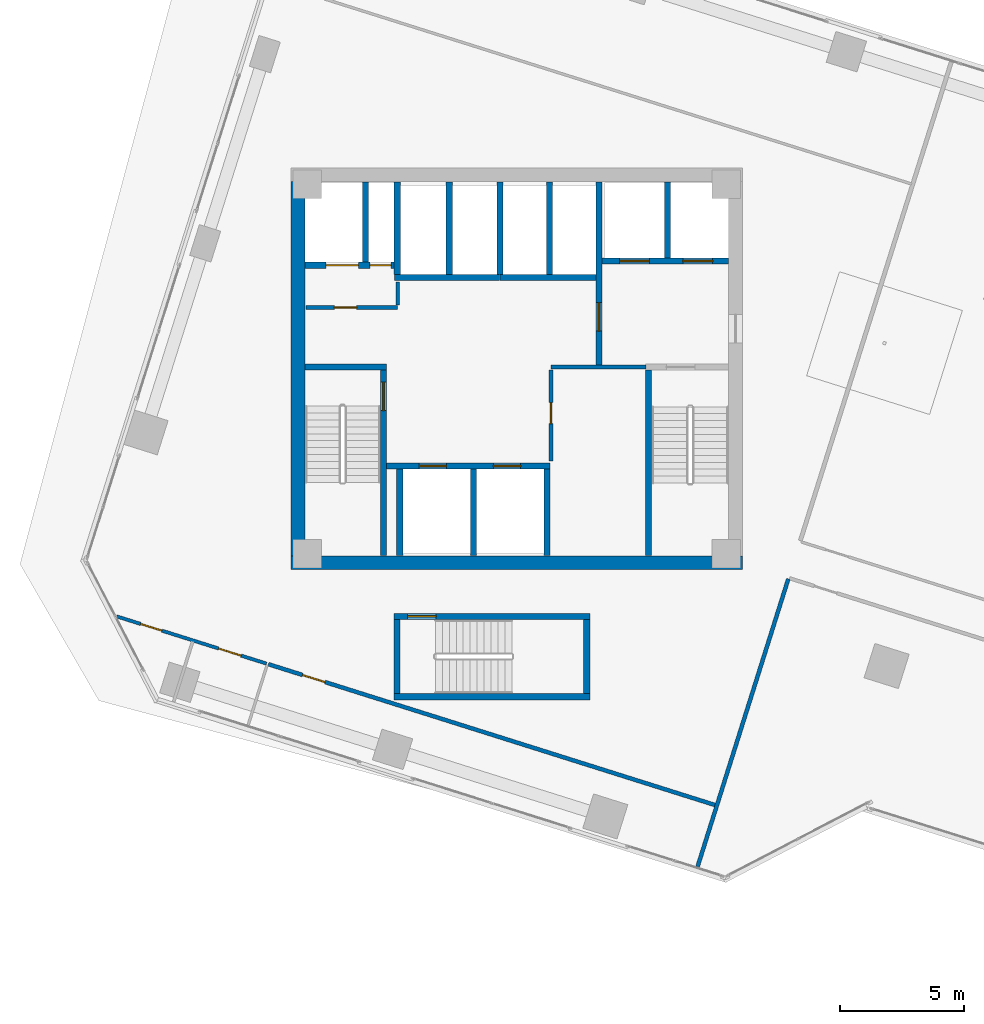
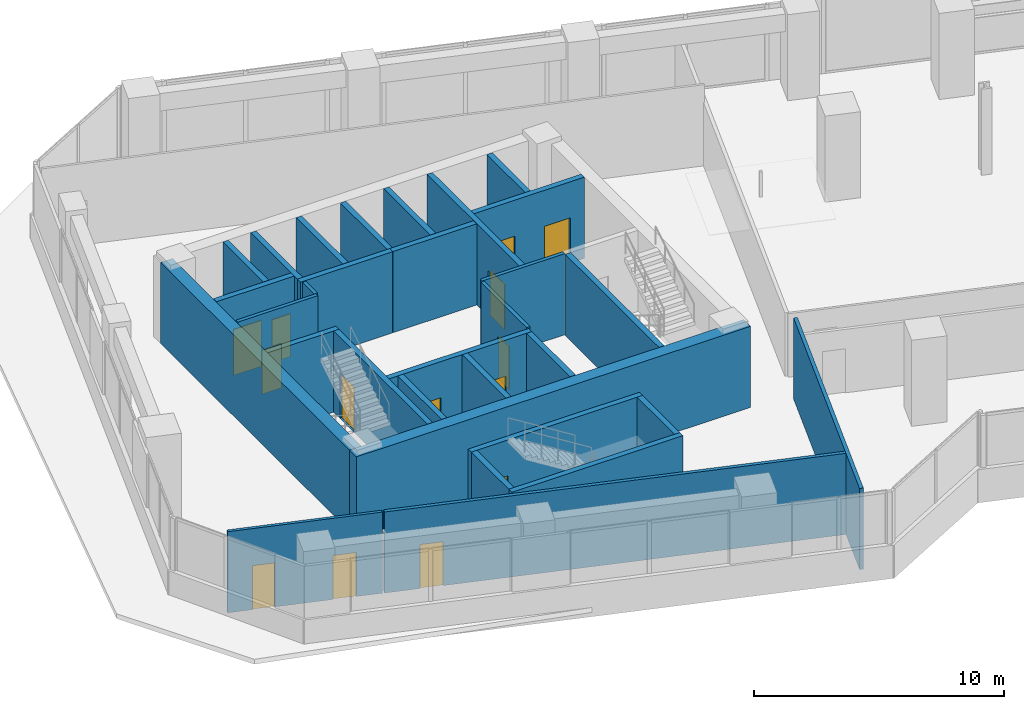
# One storey, part 21 of 28: 31 walls, 14 doors, 14 openings.
"""IFC4 building model written with IfcOpenShell, lengths in metres."""

from ifc_helpers import new_model, si_unit, direction, frame, frame_2d, origin, place, context, subcontext, project, spatial, rectangle, extrude, source, transform, mapped, material, layer, layer_set, type_object, element, fill, save


model = new_model("IFC4")

# Units and contexts
model_context = context("Model", 3, precision=1e-05, world=origin(), true_north=direction((0.0, 1.0)))
body_context = subcontext(model_context, "Body", "Model", "MODEL_VIEW")
ifc_project = project(units=[si_unit("LENGTHUNIT", "METRE"), si_unit("AREAUNIT", "SQUARE_METRE"), si_unit("VOLUMEUNIT", "CUBIC_METRE"), si_unit("PLANEANGLEUNIT", "RADIAN"), si_unit("MASSUNIT", "GRAM", prefix="KILO")], contexts=[model_context])

# Site, building, storey
site_placement = place(None, origin())
site = spatial("IfcSite", under=ifc_project, at=site_placement, CompositionType="ELEMENT")
building_placement = place(site_placement, origin())
building = spatial("IfcBuilding", under=site, at=building_placement, Name="Torre Montelarca", CompositionType="ELEMENT")
storey_placement = place(building_placement, frame((0.0, 0.0, 112.60009765625)))
storey = spatial("IfcBuildingStorey", under=building, at=storey_placement, Name="L25", CompositionType="ELEMENT", Elevation=112.60009765625)

# Wall, opening, door
ifc_material_1 = material(Name="Concrete C40/50", Category="concrete")
ifc_layer_1 = layer(ifc_material_1, 0.25, Name="Concrete C40/50", Category="concrete")
ifc_layer_set_1 = layer_set([ifc_layer_1], Name="Concrete C40/50")
wall_type_1 = type_object("IfcWallType", Name="CW-SHAFT-250", PredefinedType="SHEAR", material=ifc_layer_set_1)
wall_1_placement = place(storey_placement, frame((12.625, 24.4599609375, 0.0), z_axis=(0.0, 0.0, 1.0), x_axis=(0.0, 1.0, 0.0)))
wall_1 = element("IfcWall", 1, at=wall_1_placement, inside=storey, type_object=wall_type_1, Name="L25 Core Shear Wall SH-ST1-E", PredefinedType="SHEAR", context=body_context, shape_type="SweptSolid", body=[
    extrude(rectangle(XDim=7.489990234375, YDim=0.25, at=frame_2d((3.7451171875, 0.0))), origin(), (0.0, 0.0, 1.0), 3.9599609375),
])
opening_1_placement = place(wall_1_placement, frame((5.85009765625, 0.0, 0.0)))
opening_1 = element("IfcOpeningElement", 2, at=opening_1_placement, cuts=wall_1, Name="Opening FD-ST1", PredefinedType="OPENING", context=body_context, shape_type="SweptSolid", body=[
    extrude(rectangle(XDim=1.14990234375, YDim=2.199951171875, at=frame_2d((0.574951171875, 1.10009765625))), frame((0.0, 0.135009765625, 0.0), z_axis=(0.0, -1.0, 0.0), x_axis=(1.0, 0.0, 0.0)), (0.0, 0.0, 1.0), 0.27001953125),
])
ifc_material_2 = material(Name="Galvanized steel fire door", Category="steel")
door_type_1 = type_object("IfcDoorType", Name="DR-STAIR-115", OperationType="NOTDEFINED", PredefinedType="DOOR", material=ifc_material_2)
shared_shape_1 = source(origin(), body_context, "Body", "SweptSolid", [
    extrude(rectangle(XDim=1.14990234375, YDim=2.199951171875, at=frame_2d((0.574951171875, 1.10009765625))), frame((0.0, 0.02490234375, 0.0), z_axis=(0.0, -1.0, 0.0), x_axis=(1.0, 0.0, 0.0)), (0.0, 0.0, 1.0), 0.050048828125),
])
door_1_placement = place(opening_1_placement, origin())
door_1 = element("IfcDoor", 3, at=door_1_placement, inside=storey, type_object=door_type_1, Name="L25 Exit Stair ST1 Fire Door", OperationType="SINGLE_SWING_RIGHT", OverallHeight=2.199951171875, OverallWidth=1.14990234375, PredefinedType="DOOR", context=body_context, shape_type="MappedRepresentation", body=[
    mapped(shared_shape_1, transform((0.0, 0.0, 0.0), scale=1.0)),
])
fill(opening_1, door_1)

# Walls
wall_2_placement = place(storey_placement, frame((9.4599609375, 32.074951171875, 0.0), z_axis=(0.0, 0.0, 1.0), x_axis=(1.0, 0.0, 0.0)))
element("IfcWall", 4, at=wall_2_placement, inside=storey, type_object=wall_type_1, Name="L25 Core Shear Wall SH-ST1-N", PredefinedType="SHEAR", context=body_context, shape_type="SweptSolid", body=[
    extrude(rectangle(XDim=3.2900390625, YDim=0.25, at=frame_2d((1.64501953125, 0.0))), origin(), (0.0, 0.0, 1.0), 3.9599609375),
])
wall_3_placement = place(storey_placement, frame((23.31494140625, 24.4599609375, 0.0), z_axis=(0.0, 0.0, 1.0), x_axis=(0.0, 1.0, 0.0)))
element("IfcWall", 5, at=wall_3_placement, inside=storey, type_object=wall_type_1, Name="L25 Core Shear Wall SH-ST2-W", PredefinedType="SHEAR", context=body_context, shape_type="SweptSolid", body=[
    extrude(rectangle(XDim=7.489990234375, YDim=0.25, at=frame_2d((3.7451171875, 0.0))), origin(), (0.0, 0.0, 1.0), 3.9599609375),
])

# Wall, opening, door
wall_4_placement = place(storey_placement, frame((21.320068359375, 32.1201171875, 0.0), z_axis=(0.0, 0.0, 1.0), x_axis=(0.0, 1.0, 0.0)))
wall_4 = element("IfcWall", 6, at=wall_4_placement, inside=storey, type_object=wall_type_1, Name="L25 Core Shear Wall SH-FFL-W", PredefinedType="SHEAR", context=body_context, shape_type="SweptSolid", body=[
    extrude(rectangle(XDim=7.419921875, YDim=0.25, at=frame_2d((3.7099609375, 0.0))), origin(), (0.0, 0.0, 1.0), 3.9599609375),
])
opening_2_placement = place(wall_4_placement, frame((1.39990234375, 0.0, 0.0)))
opening_2 = element("IfcOpeningElement", 7, at=opening_2_placement, cuts=wall_4, Name="Opening FD-LB1", PredefinedType="OPENING", context=body_context, shape_type="SweptSolid", body=[
    extrude(rectangle(XDim=1.14990234375, YDim=2.199951171875, at=frame_2d((0.574951171875, 1.10009765625))), frame((0.0, 0.135009765625, 0.0), z_axis=(0.0, -1.0, 0.0), x_axis=(1.0, 0.0, 0.0)), (0.0, 0.0, 1.0), 0.27001953125),
])
ifc_material_3 = material(Name="Acoustic timber-veneered fire door", Category="wood")
door_type_2 = type_object("IfcDoorType", Name="DR-LOBBY-115", OperationType="NOTDEFINED", PredefinedType="DOOR", material=ifc_material_3)
shared_shape_2 = source(origin(), body_context, "Body", "SweptSolid", [
    extrude(rectangle(XDim=1.14990234375, YDim=2.199951171875, at=frame_2d((0.574951171875, 1.10009765625))), frame((0.0, 0.02490234375, 0.0), z_axis=(0.0, -1.0, 0.0), x_axis=(1.0, 0.0, 0.0)), (0.0, 0.0, 1.0), 0.050048828125),
])
door_2_placement = place(opening_2_placement, origin())
door_2 = element("IfcDoor", 8, at=door_2_placement, inside=storey, type_object=door_type_2, Name="L25 Lift Lobby to Firefighting Lobby Smoke Door", OperationType="SINGLE_SWING_LEFT", OverallHeight=2.199951171875, OverallWidth=1.14990234375, PredefinedType="DOOR", context=body_context, shape_type="MappedRepresentation", body=[
    mapped(shared_shape_2, transform((0.0, 0.0, 0.0), scale=1.0)),
])
fill(opening_2, door_2)

# Wall, openings, doors
wall_5_placement = place(storey_placement, frame((9.4599609375, 36.179931640625, 0.0), z_axis=(0.0, 0.0, 1.0), x_axis=(1.0, 0.0, 0.0)))
wall_5 = element("IfcWall", 9, at=wall_5_placement, inside=storey, type_object=wall_type_1, Name="L25 Core Shear Wall SH-SV1-S", PredefinedType="SHEAR", context=body_context, shape_type="SweptSolid", body=[
    extrude(rectangle(XDim=3.7900390625, YDim=0.25, at=frame_2d((1.89501953125, 0.0))), origin(), (0.0, 0.0, 1.0), 3.9599609375),
])
opening_3_placement = place(wall_5_placement, frame((2.6201171875, 0.0, 0.0)))
opening_3 = element("IfcOpeningElement", 10, at=opening_3_placement, cuts=wall_5, Name="Opening FD-085", PredefinedType="OPENING", context=body_context, shape_type="SweptSolid", body=[
    extrude(rectangle(XDim=0.85009765625, YDim=2.10009765625, at=frame_2d((0.425048828125, 1.050048828125))), frame((0.0, 0.135009765625, 0.0), z_axis=(0.0, -1.0, 0.0), x_axis=(1.0, 0.0, 0.0)), (0.0, 0.0, 1.0), 0.27001953125),
])
opening_4_placement = place(wall_5_placement, frame((0.85009765625, 0.0, 0.0)))
opening_4 = element("IfcOpeningElement", 11, at=opening_4_placement, cuts=wall_5, Name="Opening LD-130", PredefinedType="OPENING", context=body_context, shape_type="SweptSolid", body=[
    extrude(rectangle(XDim=1.300048828125, YDim=2.25, at=frame_2d((0.64990234375, 1.125))), frame((0.0, 0.135009765625, 0.0), z_axis=(0.0, -1.0, 0.0), x_axis=(1.0, 0.0, 0.0)), (0.0, 0.0, 1.0), 0.27001953125),
])
ifc_material_4 = material(Name="Steel riser access fire door", Category="steel")
door_type_3 = type_object("IfcDoorType", Name="DR-RISER-085", OperationType="NOTDEFINED", PredefinedType="DOOR", material=ifc_material_4)
shared_shape_3 = source(origin(), body_context, "Body", "SweptSolid", [
    extrude(rectangle(XDim=0.85009765625, YDim=2.10009765625, at=frame_2d((0.425048828125, 1.050048828125))), frame((0.0, 0.02490234375, 0.0), z_axis=(0.0, -1.0, 0.0), x_axis=(1.0, 0.0, 0.0)), (0.0, 0.0, 1.0), 0.050048828125),
])
door_3_placement = place(opening_3_placement, origin())
door_3 = element("IfcDoor", 12, at=door_3_placement, inside=storey, type_object=door_type_3, Name="L25 Electrical Riser Shaft Access Door", OperationType="SINGLE_SWING_RIGHT", OverallHeight=2.10009765625, OverallWidth=0.85009765625, PredefinedType="DOOR", context=body_context, shape_type="MappedRepresentation", body=[
    mapped(shared_shape_3, transform((0.0, 0.0, 0.0), scale=1.0)),
])
fill(opening_3, door_3)
ifc_material_5 = material(Name="Brushed stainless steel AISI 316", Category="steel")
door_type_4 = type_object("IfcDoorType", Name="DR-LIFT-130", OperationType="SLIDING_TO_LEFT", PredefinedType="DOOR", material=ifc_material_5)
shared_shape_4 = source(origin(), body_context, "Body", "SweptSolid", [
    extrude(rectangle(XDim=1.300048828125, YDim=2.25, at=frame_2d((0.64990234375, 1.125))), frame((0.0, 0.02490234375, 0.0), z_axis=(0.0, -1.0, 0.0), x_axis=(1.0, 0.0, 0.0)), (0.0, 0.0, 1.0), 0.050048828125),
])
door_4_placement = place(opening_4_placement, origin())
door_4 = element("IfcDoor", 13, at=door_4_placement, inside=storey, type_object=door_type_4, Name="L25 Lift Landing Sliding Door SV-1", OperationType="SLIDING_TO_LEFT", OverallHeight=2.25, OverallWidth=1.300048828125, PredefinedType="DOOR", context=body_context, shape_type="MappedRepresentation", body=[
    mapped(shared_shape_4, transform((0.0, 0.0, 0.0), scale=1.0)),
])
fill(opening_4, door_4)

# Wall
wall_6_placement = place(storey_placement, frame((11.89990234375, 36.31005859375, 0.0), z_axis=(0.0, 0.0, 1.0), x_axis=(0.0, 1.0, 0.0)))
element("IfcWall", 14, at=wall_6_placement, inside=storey, type_object=wall_type_1, Name="L25 Core Shear Wall SH-SV1-E", PredefinedType="SHEAR", context=body_context, shape_type="SweptSolid", body=[
    extrude(rectangle(XDim=3.22998046875, YDim=0.25, at=frame_2d((1.614990234375, 0.0))), origin(), (0.0, 0.0, 1.0), 3.9599609375),
])

# Wall, openings, doors
wall_7_placement = place(storey_placement, frame((21.449951171875, 36.35009765625, 0.0), z_axis=(0.0, 0.0, 1.0), x_axis=(1.0, 0.0, 0.0)))
wall_7 = element("IfcWall", 15, at=wall_7_placement, inside=storey, type_object=wall_type_1, Name="L25 Core Shear Wall SH-FF-S", PredefinedType="SHEAR", context=body_context, shape_type="SweptSolid", body=[
    extrude(rectangle(XDim=5.090087890625, YDim=0.25, at=frame_2d((2.544921875, 0.0))), origin(), (0.0, 0.0, 1.0), 3.9599609375),
])
opening_5_placement = place(wall_7_placement, frame((0.699951171875, 0.0, 0.0)))
opening_5 = element("IfcOpeningElement", 16, at=opening_5_placement, cuts=wall_7, Name="Opening LD-120", PredefinedType="OPENING", context=body_context, shape_type="SweptSolid", body=[
    extrude(rectangle(XDim=1.199951171875, YDim=2.199951171875, at=frame_2d((0.60009765625, 1.10009765625))), frame((0.0, 0.135009765625, 0.0), z_axis=(0.0, -1.0, 0.0), x_axis=(1.0, 0.0, 0.0)), (0.0, 0.0, 1.0), 0.27001953125),
])
opening_6_placement = place(wall_7_placement, frame((3.25, 0.0, 0.0)))
opening_6 = element("IfcOpeningElement", 17, at=opening_6_placement, cuts=wall_7, Name="Opening LD-120", PredefinedType="OPENING", context=body_context, shape_type="SweptSolid", body=[
    extrude(rectangle(XDim=1.199951171875, YDim=2.199951171875, at=frame_2d((0.60009765625, 1.10009765625))), frame((0.0, 0.135009765625, 0.0), z_axis=(0.0, -1.0, 0.0), x_axis=(1.0, 0.0, 0.0)), (0.0, 0.0, 1.0), 0.27001953125),
])
door_type_5 = type_object("IfcDoorType", Name="DR-LIFT-120", OperationType="SLIDING_TO_RIGHT", PredefinedType="DOOR", material=ifc_material_5)
shared_shape_5 = source(origin(), body_context, "Body", "SweptSolid", [
    extrude(rectangle(XDim=1.199951171875, YDim=2.199951171875, at=frame_2d((0.60009765625, 1.10009765625))), frame((0.0, 0.02490234375, 0.0), z_axis=(0.0, -1.0, 0.0), x_axis=(1.0, 0.0, 0.0)), (0.0, 0.0, 1.0), 0.050048828125),
])
door_5_placement = place(opening_5_placement, origin())
door_5 = element("IfcDoor", 18, at=door_5_placement, inside=storey, type_object=door_type_5, Name="L25 Lift Landing Sliding Door FF-1", OperationType="SLIDING_TO_LEFT", OverallHeight=2.199951171875, OverallWidth=1.199951171875, PredefinedType="DOOR", context=body_context, shape_type="MappedRepresentation", body=[
    mapped(shared_shape_5, transform((0.0, 0.0, 0.0), scale=1.0)),
])
fill(opening_5, door_5)
door_6_placement = place(opening_6_placement, origin())
door_6 = element("IfcDoor", 19, at=door_6_placement, inside=storey, type_object=door_type_5, Name="L25 Lift Landing Sliding Door FF-2", OperationType="SLIDING_TO_RIGHT", OverallHeight=2.199951171875, OverallWidth=1.199951171875, PredefinedType="DOOR", context=body_context, shape_type="MappedRepresentation", body=[
    mapped(shared_shape_5, transform((0.0, 0.0, 0.0), scale=1.0)),
])
fill(opening_6, door_6)

# Wall
wall_8_placement = place(storey_placement, frame((24.080078125, 36.47998046875, 0.0), z_axis=(0.0, 0.0, 1.0), x_axis=(0.0, 1.0, 0.0)))
element("IfcWall", 20, at=wall_8_placement, inside=storey, type_object=wall_type_1, Name="L25 Core Shear Wall SH-FF-M", PredefinedType="SHEAR", context=body_context, shape_type="SweptSolid", body=[
    extrude(rectangle(XDim=3.06005859375, YDim=0.25, at=frame_2d((1.530029296875, 0.0))), origin(), (0.0, 0.0, 1.0), 3.9599609375),
])

# Wall, openings, doors
wall_9_placement = place(storey_placement, frame((12.6298828125, 28.080078125, 0.0), z_axis=(0.0, 0.0, 1.0), x_axis=(1.0, 0.0, 0.0)))
wall_9 = element("IfcWall", 21, at=wall_9_placement, inside=storey, type_object=wall_type_1, Name="L25 Core Shear Wall SH-PLL-N", PredefinedType="SHEAR", context=body_context, shape_type="SweptSolid", body=[
    extrude(rectangle(XDim=6.710205078125, YDim=0.25, at=frame_2d((3.35498046875, 0.0))), origin(), (0.0, 0.0, 1.0), 3.9599609375),
])
opening_7_placement = place(wall_9_placement, frame((1.429931640625, 0.0, 0.0)))
opening_7 = element("IfcOpeningElement", 22, at=opening_7_placement, cuts=wall_9, Name="Opening LD-110", PredefinedType="OPENING", context=body_context, shape_type="SweptSolid", body=[
    extrude(rectangle(XDim=1.10009765625, YDim=2.199951171875, at=frame_2d((0.550048828125, 1.10009765625))), frame((0.0, 0.135009765625, 0.0), z_axis=(0.0, -1.0, 0.0), x_axis=(1.0, 0.0, 0.0)), (0.0, 0.0, 1.0), 0.27001953125),
])
opening_8_placement = place(wall_9_placement, frame((4.429931640625, 0.0, 0.0)))
opening_8 = element("IfcOpeningElement", 23, at=opening_8_placement, cuts=wall_9, Name="Opening LD-110", PredefinedType="OPENING", context=body_context, shape_type="SweptSolid", body=[
    extrude(rectangle(XDim=1.10009765625, YDim=2.199951171875, at=frame_2d((0.550048828125, 1.10009765625))), frame((0.0, 0.135009765625, 0.0), z_axis=(0.0, -1.0, 0.0), x_axis=(1.0, 0.0, 0.0)), (0.0, 0.0, 1.0), 0.27001953125),
])
door_type_6 = type_object("IfcDoorType", Name="DR-LIFT-110", OperationType="SLIDING_TO_LEFT", PredefinedType="DOOR", material=ifc_material_5)
shared_shape_6 = source(origin(), body_context, "Body", "SweptSolid", [
    extrude(rectangle(XDim=1.10009765625, YDim=2.199951171875, at=frame_2d((0.550048828125, 1.10009765625))), frame((0.0, 0.02490234375, 0.0), z_axis=(0.0, -1.0, 0.0), x_axis=(1.0, 0.0, 0.0)), (0.0, 0.0, 1.0), 0.050048828125),
])
door_7_placement = place(opening_7_placement, origin())
door_7 = element("IfcDoor", 24, at=door_7_placement, inside=storey, type_object=door_type_6, Name="L25 Lift Landing Sliding Door PL-L1", OperationType="SLIDING_TO_LEFT", OverallHeight=2.199951171875, OverallWidth=1.10009765625, PredefinedType="DOOR", context=body_context, shape_type="MappedRepresentation", body=[
    mapped(shared_shape_6, transform((0.0, 0.0, 0.0), scale=1.0)),
])
fill(opening_7, door_7)
door_8_placement = place(opening_8_placement, origin())
door_8 = element("IfcDoor", 25, at=door_8_placement, inside=storey, type_object=door_type_6, Name="L25 Lift Landing Sliding Door PL-L2", OperationType="SLIDING_TO_RIGHT", OverallHeight=2.199951171875, OverallWidth=1.10009765625, PredefinedType="DOOR", context=body_context, shape_type="MappedRepresentation", body=[
    mapped(shared_shape_6, transform((0.0, 0.0, 0.0), scale=1.0)),
])
fill(opening_8, door_8)

# Walls
for number, where, z_axis, x_axis, name in (
    (26, (13.280029296875, 24.4599609375, 0.0), (0.0, 0.0, 1.0), (0.0, 1.0, 0.0), "L25 Core Shear Wall SH-PLL-W"),
    (27, (16.25, 24.4599609375, 0.0), (0.0, 0.0, 1.0), (0.0, 1.0, 0.0), "L25 Core Shear Wall SH-PLL-M"),
    (28, (19.219970703125, 24.4599609375, 0.0), (0.0, 0.0, 1.0), (0.0, 1.0, 0.0), "L25 Core Shear Wall SH-PLL-E"),
):
    element("IfcWall", number, at=place(storey_placement, frame(where, z_axis=z_axis, x_axis=x_axis)), inside=storey, type_object=wall_type_1, Name=name, PredefinedType="SHEAR", context=body_context, shape_type="SweptSolid", body=[
        extrude(rectangle(XDim=3.489990234375, YDim=0.25, at=frame_2d((1.7451171875, 0.0))), origin(), (0.0, 0.0, 1.0), 3.9599609375),
    ])
wall_10_placement = place(storey_placement, frame((13.06005859375, 35.679931640625, 0.0), z_axis=(0.0, 0.0, 1.0), x_axis=(1.0, 0.0, 0.0)))
element("IfcWall", 29, at=wall_10_placement, inside=storey, type_object=wall_type_1, Name="L25 Core Shear Wall SH-PLM-S", PredefinedType="SHEAR", context=body_context, shape_type="SweptSolid", body=[
    extrude(rectangle(XDim=4.25, YDim=0.25, at=frame_2d((2.125, 0.0))), origin(), (0.0, 0.0, 1.0), 3.9599609375),
])
for number, where, z_axis, x_axis, name in (
    (30, (13.179931640625, 35.81005859375, 0.0), (0.0, 0.0, 1.0), (0.0, 1.0, 0.0), "L25 Core Shear Wall SH-PLM-W"),
    (31, (15.280029296875, 35.81005859375, 0.0), (0.0, 0.0, 1.0), (0.0, 1.0, 0.0), "L25 Core Shear Wall SH-PLM-M"),
):
    element("IfcWall", number, at=place(storey_placement, frame(where, z_axis=z_axis, x_axis=x_axis)), inside=storey, type_object=wall_type_1, Name=name, PredefinedType="SHEAR", context=body_context, shape_type="SweptSolid", body=[
        extrude(rectangle(XDim=3.72998046875, YDim=0.25, at=frame_2d((1.864990234375, 0.0))), origin(), (0.0, 0.0, 1.0), 3.9599609375),
    ])
wall_11_placement = place(storey_placement, frame((17.320068359375, 35.679931640625, 0.0), z_axis=(0.0, 0.0, 1.0), x_axis=(1.0, 0.0, 0.0)))
element("IfcWall", 32, at=wall_11_placement, inside=storey, type_object=wall_type_1, Name="L25 Core Shear Wall SH-PLH-S", PredefinedType="SHEAR", context=body_context, shape_type="SweptSolid", body=[
    extrude(rectangle(XDim=3.869873046875, YDim=0.25, at=frame_2d((1.93505859375, 0.0))), origin(), (0.0, 0.0, 1.0), 3.9599609375),
])
for number, where, z_axis, x_axis, name in (
    (33, (17.320068359375, 35.81005859375, 0.0), (0.0, 0.0, 1.0), (0.0, 1.0, 0.0), "L25 Core Shear Wall SH-PLH-W"),
    (34, (19.320068359375, 35.81005859375, 0.0), (0.0, 0.0, 1.0), (0.0, 1.0, 0.0), "L25 Core Shear Wall SH-PLH-M"),
):
    element("IfcWall", number, at=place(storey_placement, frame(where, z_axis=z_axis, x_axis=x_axis)), inside=storey, type_object=wall_type_1, Name=name, PredefinedType="SHEAR", context=body_context, shape_type="SweptSolid", body=[
        extrude(rectangle(XDim=3.72998046875, YDim=0.25, at=frame_2d((1.864990234375, 0.0))), origin(), (0.0, 0.0, 1.0), 3.9599609375),
    ])
for number, where, z_axis, x_axis, name in (
    (35, (13.175048828125, 18.89990234375, 0.0), (0.0, 0.0, 1.0), (0.0, 1.0, 0.0), "L25 Core Shear Wall SH-ST3-W"),
    (36, (20.824951171875, 18.89990234375, 0.0), (0.0, 0.0, 1.0), (0.0, 1.0, 0.0), "L25 Core Shear Wall SH-ST3-E"),
):
    element("IfcWall", number, at=place(storey_placement, frame(where, z_axis=z_axis, x_axis=x_axis)), inside=storey, type_object=wall_type_1, Name=name, PredefinedType="SHEAR", context=body_context, shape_type="SweptSolid", body=[
        extrude(rectangle(XDim=2.989990234375, YDim=0.25, at=frame_2d((1.4951171875, 0.0))), origin(), (0.0, 0.0, 1.0), 3.9599609375),
    ])
wall_12_placement = place(storey_placement, frame((13.050048828125, 18.77490234375, 0.0), z_axis=(0.0, 0.0, 1.0), x_axis=(1.0, 0.0, 0.0)))
element("IfcWall", 37, at=wall_12_placement, inside=storey, type_object=wall_type_1, Name="L25 Core Shear Wall SH-ST3-S", PredefinedType="SHEAR", context=body_context, shape_type="SweptSolid", body=[
    extrude(rectangle(XDim=7.89990234375, YDim=0.25, at=frame_2d((3.949951171875, 0.0))), origin(), (0.0, 0.0, 1.0), 3.9599609375),
])

# Wall, opening, door
wall_13_placement = place(storey_placement, frame((13.050048828125, 22.014892578125, 0.0), z_axis=(0.0, 0.0, 1.0), x_axis=(1.0, 0.0, 0.0)))
wall_13 = element("IfcWall", 38, at=wall_13_placement, inside=storey, type_object=wall_type_1, Name="L25 Core Shear Wall SH-ST3-N", PredefinedType="SHEAR", context=body_context, shape_type="SweptSolid", body=[
    extrude(rectangle(XDim=7.89990234375, YDim=0.25, at=frame_2d((3.949951171875, 0.0))), origin(), (0.0, 0.0, 1.0), 3.9599609375),
])
opening_9_placement = place(wall_13_placement, frame((0.550048828125, 0.0, 0.0)))
opening_9 = element("IfcOpeningElement", 39, at=opening_9_placement, cuts=wall_13, Name="Opening FD-ST1", PredefinedType="OPENING", context=body_context, shape_type="SweptSolid", body=[
    extrude(rectangle(XDim=1.14990234375, YDim=2.199951171875, at=frame_2d((0.574951171875, 1.10009765625))), frame((0.0, 0.135009765625, 0.0), z_axis=(0.0, -1.0, 0.0), x_axis=(1.0, 0.0, 0.0)), (0.0, 0.0, 1.0), 0.27001953125),
])
door_9_placement = place(opening_9_placement, origin())
door_9 = element("IfcDoor", 40, at=door_9_placement, inside=storey, type_object=door_type_1, Name="L25 Exit Stair ST3 Fire Door", OperationType="SINGLE_SWING_LEFT", OverallHeight=2.199951171875, OverallWidth=1.14990234375, PredefinedType="DOOR", context=body_context, shape_type="MappedRepresentation", body=[
    mapped(shared_shape_1, transform((0.0, 0.0, 0.0), scale=1.0)),
])
fill(opening_9, door_9)

# Walls
ifc_material_6 = material(Name="Concrete C70/85", Category="concrete")
ifc_layer_2 = layer(ifc_material_6, 0.550048828125, Name="Concrete C70/85", Category="concrete")
ifc_layer_set_2 = layer_set([ifc_layer_2], Name="Concrete C70/85")
wall_type_2 = type_object("IfcWallType", Name="CW-SHEAR-550", PredefinedType="SHEAR", material=ifc_layer_set_2)
wall_14_placement = place(storey_placement, frame((9.175048828125, 24.449951171875, 0.0), z_axis=(0.0, 0.0, 1.0), x_axis=(0.0, 1.0, 0.0)))
element("IfcWall", 41, at=wall_14_placement, inside=storey, type_object=wall_type_2, Name="L25 Core Shear Wall CW-W", PredefinedType="SHEAR", context=body_context, shape_type="SweptSolid", body=[
    extrude(rectangle(XDim=15.10009765625, YDim=0.550048828125, at=frame_2d((7.550048828125, 0.0))), origin(), (0.0, 0.0, 1.0), 3.9599609375),
])
wall_15_placement = place(storey_placement, frame((8.89990234375, 24.175048828125, 0.0), z_axis=(0.0, 0.0, 1.0), x_axis=(1.0, 0.0, 0.0)))
element("IfcWall", 42, at=wall_15_placement, inside=storey, type_object=wall_type_2, Name="L25 Core Shear Wall CW-S1", PredefinedType="SHEAR", context=body_context, shape_type="SweptSolid", body=[
    extrude(rectangle(XDim=18.2001953125, YDim=0.550048828125, at=frame_2d((9.10009765625, 0.0))), origin(), (0.0, 0.0, 1.0), 3.9599609375),
])

# Wall, opening, door
ifc_material_7 = material(Name="Gypsum plasterboard on steel stud", Category="steel")
ifc_layer_3 = layer(ifc_material_7, 0.159912109375, Name="Gypsum plasterboard on steel stud", Category="steel")
ifc_layer_set_3 = layer_set([ifc_layer_3], Name="Gypsum plasterboard on steel stud")
wall_type_3 = type_object("IfcWallType", Name="PW-FIRE-160", PredefinedType="PARTITIONING", material=ifc_layer_set_3)
wall_16_placement = place(storey_placement, frame((9.489990234375, 34.47998046875, 0.0), z_axis=(0.0, 0.0, 1.0), x_axis=(1.0, 0.0, 0.0)))
wall_16 = element("IfcWall", 43, at=wall_16_placement, inside=storey, type_object=wall_type_3, Name="L25 Interior Partition CW-L25-SVS", PredefinedType="PARTITIONING", context=body_context, shape_type="SweptSolid", body=[
    extrude(rectangle(XDim=3.699951171875, YDim=0.159912109375, at=frame_2d((1.85009765625, 0.0))), origin(), (0.0, 0.0, 1.0), 3.9599609375),
])
opening_10_placement = place(wall_16_placement, frame((1.14990234375, 0.0, 0.0)))
opening_10 = element("IfcOpeningElement", 44, at=opening_10_placement, cuts=wall_16, Name="Opening FD-090", PredefinedType="OPENING", context=body_context, shape_type="SweptSolid", body=[
    extrude(rectangle(XDim=0.89990234375, YDim=2.14990234375, at=frame_2d((0.449951171875, 1.074951171875))), frame((0.0, 0.08984375, 0.0), z_axis=(0.0, -1.0, 0.0), x_axis=(1.0, 0.0, 0.0)), (0.0, 0.0, 1.0), 0.179931640625),
])
ifc_material_8 = material(Name="Steel service fire door", Category="steel")
door_type_7 = type_object("IfcDoorType", Name="DR-FIRE-090", OperationType="NOTDEFINED", PredefinedType="DOOR", material=ifc_material_8)
shared_shape_7 = source(origin(), body_context, "Body", "SweptSolid", [
    extrude(rectangle(XDim=0.89990234375, YDim=2.14990234375, at=frame_2d((0.449951171875, 1.074951171875))), frame((0.0, 0.02490234375, 0.0), z_axis=(0.0, -1.0, 0.0), x_axis=(1.0, 0.0, 0.0)), (0.0, 0.0, 1.0), 0.050048828125),
])
door_10_placement = place(opening_10_placement, origin())
door_10 = element("IfcDoor", 45, at=door_10_placement, inside=storey, type_object=door_type_7, Name="L25 Interior Door 01", OperationType="SINGLE_SWING_RIGHT", OverallHeight=2.14990234375, OverallWidth=0.89990234375, PredefinedType="DOOR", context=body_context, shape_type="MappedRepresentation", body=[
    mapped(shared_shape_7, transform((0.0, 0.0, 0.0), scale=1.0)),
])
fill(opening_10, door_10)

# Walls
wall_17_placement = place(storey_placement, frame((13.199951171875, 34.570068359375, 0.0), z_axis=(0.0, 0.0, 1.0), x_axis=(0.0, 1.0, 0.0)))
element("IfcWall", 46, at=wall_17_placement, inside=storey, type_object=wall_type_3, Name="L25 Interior Partition CW-L25-SVE", PredefinedType="PARTITIONING", context=body_context, shape_type="SweptSolid", body=[
    extrude(rectangle(XDim=0.93994140625, YDim=0.159912109375, at=frame_2d((0.469970703125, 0.0))), origin(), (0.0, 0.0, 1.0), 3.9599609375),
])
wall_18_placement = place(storey_placement, frame((19.389892578125, 32.080078125, 0.0), z_axis=(0.0, 0.0, 1.0), x_axis=(1.0, 0.0, 0.0)))
element("IfcWall", 47, at=wall_18_placement, inside=storey, type_object=wall_type_3, Name="L25 Interior Partition CW-L25-SEN", PredefinedType="PARTITIONING", context=body_context, shape_type="SweptSolid", body=[
    extrude(rectangle(XDim=3.820068359375, YDim=0.159912109375, at=frame_2d((1.91015625, 0.0))), origin(), (0.0, 0.0, 1.0), 3.9599609375),
])

# Wall, opening, door
wall_19_placement = place(storey_placement, frame((19.3798828125, 28.2900390625, 0.0), z_axis=(0.0, 0.0, 1.0), x_axis=(0.0, 1.0, 0.0)))
wall_19 = element("IfcWall", 48, at=wall_19_placement, inside=storey, type_object=wall_type_3, Name="L25 Interior Partition CW-L25-SEW", PredefinedType="PARTITIONING", context=body_context, shape_type="SweptSolid", body=[
    extrude(rectangle(XDim=3.669921875, YDim=0.159912109375, at=frame_2d((1.8349609375, 0.0))), origin(), (0.0, 0.0, 1.0), 3.9599609375),
])
opening_11_placement = place(wall_19_placement, frame((1.5, 0.0, 0.0)))
opening_11 = element("IfcOpeningElement", 49, at=opening_11_placement, cuts=wall_19, Name="Opening FD-085", PredefinedType="OPENING", context=body_context, shape_type="SweptSolid", body=[
    extrude(rectangle(XDim=0.85009765625, YDim=2.10009765625, at=frame_2d((0.425048828125, 1.050048828125))), frame((0.0, 0.08984375, 0.0), z_axis=(0.0, -1.0, 0.0), x_axis=(1.0, 0.0, 0.0)), (0.0, 0.0, 1.0), 0.179931640625),
])
door_11_placement = place(opening_11_placement, origin())
door_11 = element("IfcDoor", 50, at=door_11_placement, inside=storey, type_object=door_type_3, Name="L25 Interior Door 02", OperationType="SINGLE_SWING_RIGHT", OverallHeight=2.10009765625, OverallWidth=0.85009765625, PredefinedType="DOOR", context=body_context, shape_type="MappedRepresentation", body=[
    mapped(shared_shape_3, transform((0.0, 0.0, 0.0), scale=1.0)),
])
fill(opening_11, door_11)

wall_20_placement = place(storey_placement, frame((7.98095703125, 20.083740234375, 0.0), z_axis=(0.0, 0.0, 1.0), x_axis=(0.953717062222, -0.300705445953, 0.0)))
wall_20 = element("IfcWall", 51, at=wall_20_placement, inside=storey, type_object=wall_type_3, Name="L25 Interior Partition W-L25-SOCCN", PredefinedType="PARTITIONING", context=body_context, shape_type="SweptSolid", body=[
    extrude(rectangle(XDim=18.93017578125, YDim=0.159912109375, at=frame_2d((9.465087890625, 0.0))), origin(), (0.0, 0.0, 1.0), 3.9599609375),
])
opening_12_placement = place(wall_20_placement, frame((1.449951171875, 0.0, 0.0)))
opening_12 = element("IfcOpeningElement", 52, at=opening_12_placement, cuts=wall_20, Name="Opening FD-095", PredefinedType="OPENING", context=body_context, shape_type="SweptSolid", body=[
    extrude(rectangle(XDim=0.949951171875, YDim=2.14990234375, at=frame_2d((0.47509765625, 1.074951171875))), frame((0.0, 0.08984375, 0.0), z_axis=(0.0, -1.0, 0.0), x_axis=(1.0, 0.0, 0.0)), (0.0, 0.0, 1.0), 0.179931640625),
])
ifc_material_9 = material(Name="Timber fire-rated room door", Category="wood")
door_type_8 = type_object("IfcDoorType", Name="DR-FIRE-095", OperationType="NOTDEFINED", PredefinedType="DOOR", material=ifc_material_9)
shared_shape_8 = source(origin(), body_context, "Body", "SweptSolid", [
    extrude(rectangle(XDim=0.949951171875, YDim=2.14990234375, at=frame_2d((0.47509765625, 1.074951171875))), frame((0.0, 0.02490234375, 0.0), z_axis=(0.0, -1.0, 0.0), x_axis=(1.0, 0.0, 0.0)), (0.0, 0.0, 1.0), 0.050048828125),
])
door_12_placement = place(opening_12_placement, origin())
door_12 = element("IfcDoor", 53, at=door_12_placement, inside=storey, type_object=door_type_8, Name="L25 Interior Door 05", OperationType="SINGLE_SWING_RIGHT", OverallHeight=2.14990234375, OverallWidth=0.949951171875, PredefinedType="DOOR", context=body_context, shape_type="MappedRepresentation", body=[
    mapped(shared_shape_8, transform((0.0, 0.0, 0.0), scale=1.0)),
])
fill(opening_12, door_12)

# Wall
wall_21_placement = place(storey_placement, frame((25.294189453125, 11.9091796875, 0.0), z_axis=(0.0, 0.0, 1.0), x_axis=(0.300707324156, 0.953716470026, 0.0)))
element("IfcWall", 54, at=wall_21_placement, inside=storey, type_object=wall_type_3, Name="L25 Interior Partition W-L25-ECS", PredefinedType="PARTITIONING", context=body_context, shape_type="SweptSolid", body=[
    extrude(rectangle(XDim=12.179931640625, YDim=0.159912109375, at=frame_2d((6.08984375, 0.0))), origin(), (0.0, 0.0, 1.0), 3.9599609375),
])

# Wall, openings, doors
ifc_layer_4 = layer(ifc_material_7, 0.135009765625, Name="Gypsum plasterboard on steel stud", Category="steel")
ifc_layer_set_4 = layer_set([ifc_layer_4], Name="Gypsum plasterboard on steel stud")
wall_type_4 = type_object("IfcWallType", Name="PW-PART-135", PredefinedType="PARTITIONING", material=ifc_layer_set_4)
wall_22_placement = place(storey_placement, frame((1.856201171875, 22.014892578125, 0.0), z_axis=(0.0, 0.0, 1.0), x_axis=(0.953711734195, -0.300722343796, 0.0)))
wall_22 = element("IfcWall", 55, at=wall_22_placement, inside=storey, type_object=wall_type_4, Name="L25 Interior Partition W-L25-WCN", PredefinedType="PARTITIONING", context=body_context, shape_type="SweptSolid", body=[
    extrude(rectangle(XDim=6.342041015625, YDim=0.135009765625, at=frame_2d((3.1708984375, 0.0))), origin(), (0.0, 0.0, 1.0), 3.9599609375),
])
opening_13_placement = place(wall_22_placement, frame((1.02001953125, 0.0, 0.0)))
opening_13 = element("IfcOpeningElement", 56, at=opening_13_placement, cuts=wall_22, Name="Opening ID-090", PredefinedType="OPENING", context=body_context, shape_type="SweptSolid", body=[
    extrude(rectangle(XDim=0.89990234375, YDim=2.14990234375, at=frame_2d((0.449951171875, 1.074951171875))), frame((0.0, 0.07763671875, 0.0), z_axis=(0.0, -1.0, 0.0), x_axis=(1.0, 0.0, 0.0)), (0.0, 0.0, 1.0), 0.155029296875),
])
opening_14_placement = place(wall_22_placement, frame((4.320068359375, 0.0, 0.0)))
opening_14 = element("IfcOpeningElement", 57, at=opening_14_placement, cuts=wall_22, Name="Opening ID-095", PredefinedType="OPENING", context=body_context, shape_type="SweptSolid", body=[
    extrude(rectangle(XDim=0.949951171875, YDim=2.14990234375, at=frame_2d((0.47509765625, 1.074951171875))), frame((0.0, 0.07763671875, 0.0), z_axis=(0.0, -1.0, 0.0), x_axis=(1.0, 0.0, 0.0)), (0.0, 0.0, 1.0), 0.155029296875),
])
ifc_material_10 = material(Name="Hardwood acoustic timber veneer", Category="wood")
door_type_9 = type_object("IfcDoorType", Name="DR-INT-090", OperationType="NOTDEFINED", PredefinedType="DOOR", material=ifc_material_10)
shared_shape_9 = source(origin(), body_context, "Body", "SweptSolid", [
    extrude(rectangle(XDim=0.89990234375, YDim=2.14990234375, at=frame_2d((0.449951171875, 1.074951171875))), frame((0.0, 0.02490234375, 0.0), z_axis=(0.0, -1.0, 0.0), x_axis=(1.0, 0.0, 0.0)), (0.0, 0.0, 1.0), 0.050048828125),
])
door_13_placement = place(opening_13_placement, origin())
door_13 = element("IfcDoor", 58, at=door_13_placement, inside=storey, type_object=door_type_9, Name="L25 Interior Door 03", OperationType="SINGLE_SWING_LEFT", OverallHeight=2.14990234375, OverallWidth=0.89990234375, PredefinedType="DOOR", context=body_context, shape_type="MappedRepresentation", body=[
    mapped(shared_shape_9, transform((0.0, 0.0, 0.0), scale=1.0)),
])
fill(opening_13, door_13)
door_type_10 = type_object("IfcDoorType", Name="DR-INT-095", OperationType="NOTDEFINED", PredefinedType="DOOR", material=ifc_material_10)
shared_shape_10 = source(origin(), body_context, "Body", "SweptSolid", [
    extrude(rectangle(XDim=0.949951171875, YDim=2.14990234375, at=frame_2d((0.47509765625, 1.074951171875))), frame((0.0, 0.02490234375, 0.0), z_axis=(0.0, -1.0, 0.0), x_axis=(1.0, 0.0, 0.0)), (0.0, 0.0, 1.0), 0.050048828125),
])
door_14_placement = place(opening_14_placement, origin())
door_14 = element("IfcDoor", 59, at=door_14_placement, inside=storey, type_object=door_type_10, Name="L25 Interior Door 04", OperationType="SINGLE_SWING_RIGHT", OverallHeight=2.14990234375, OverallWidth=0.949951171875, PredefinedType="DOOR", context=body_context, shape_type="MappedRepresentation", body=[
    mapped(shared_shape_10, transform((0.0, 0.0, 0.0), scale=1.0)),
])
fill(opening_14, door_14)

save(model, "model.ifc")
